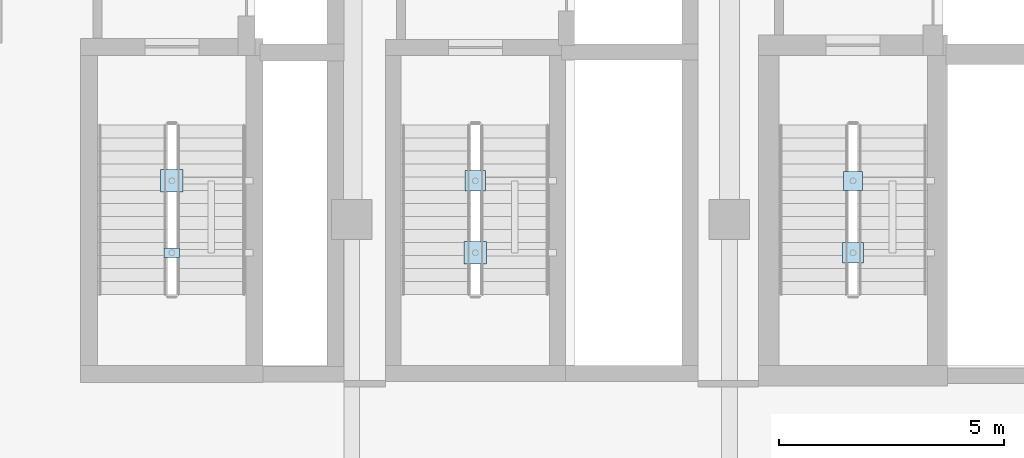
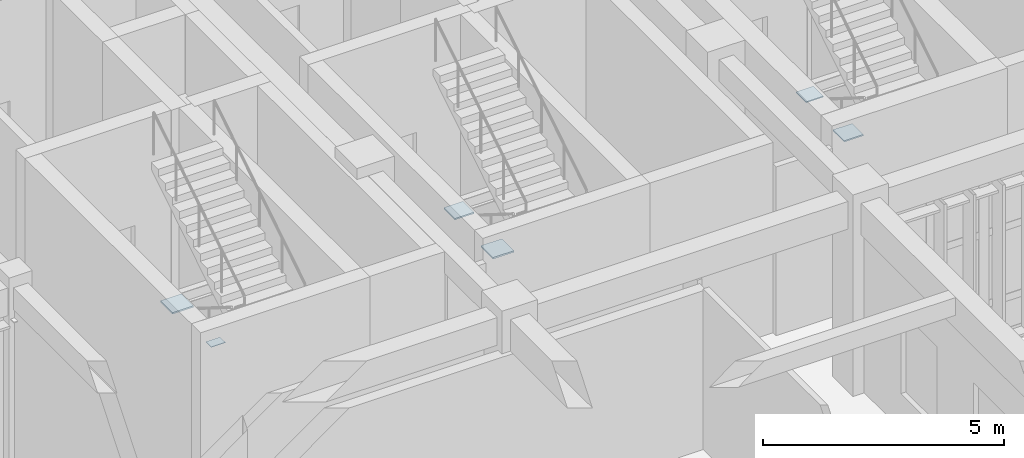
# One storey, part 83 of 106: 6 plates.
"""IFC4 building model written with IfcOpenShell, lengths in metres."""

from ifc_helpers import new_model, si_unit, direction, frame, origin, origin_2d, place, context, subcontext, project, spatial, rectangle, extrude, material, layer, layer_set, type_object, element, save


model = new_model("IFC4")

# Units and contexts
model_context = context("Model", 3, precision=1e-05, world=origin(), true_north=direction((0.0, 1.0)))
body_context = subcontext(model_context, "Body", "Model", "MODEL_VIEW")
ifc_project = project(units=[si_unit("LENGTHUNIT", "METRE"), si_unit("AREAUNIT", "SQUARE_METRE"), si_unit("VOLUMEUNIT", "CUBIC_METRE"), si_unit("PLANEANGLEUNIT", "RADIAN"), si_unit("MASSUNIT", "GRAM", prefix="KILO")], contexts=[model_context])

# Site, building, storey
site_placement = place(None, origin())
site = spatial("IfcSite", under=ifc_project, at=site_placement, CompositionType="ELEMENT")
building_placement = place(site_placement, origin())
building = spatial("IfcBuilding", under=site, at=building_placement, Name="Krzemoval Escarpment Law Courts", CompositionType="ELEMENT")
storey_placement = place(building_placement, frame((0.0, 0.0, 5.10009765625)))
storey = spatial("IfcBuildingStorey", under=building, at=storey_placement, Name="L01", CompositionType="ELEMENT", Elevation=5.10009765625)

# Plates
ifc_material_1 = material(Name="Steel S355", Category="steel")
ifc_layer_1 = layer(ifc_material_1, 0.02392578125)
ifc_layer_set_1 = layer_set([ifc_layer_1], Name="Steel S355")
plate_type_1 = type_object("IfcPlateType", Name="PLT-FLG-24", PredefinedType="USERDEFINED", material=ifc_layer_set_1)
plate_1_placement = place(storey_placement, frame((145.550048828125, 100.4599609375, 2.10791015625), z_axis=(0.0, 0.0, 1.0), x_axis=(1.0, 0.0, 0.0)))
element("IfcPlate", 1, at=plate_1_placement, inside=storey, type_object=plate_type_1, Name="Gusset and End-Cap Plate ECP-0345", ObjectType="FLANGE_PLATE", PredefinedType="USERDEFINED", context=body_context, shape_type="SweptSolid", body=[
    extrude(rectangle(XDim=0.419921875, YDim=0.419921875, at=origin_2d()), origin(), (0.0, 0.0, 1.0), 0.02392578125),
])
ifc_material_2 = material(Name="Steel S355", Category="steel")
ifc_layer_2 = layer(ifc_material_2, 0.034912109375)
ifc_layer_set_2 = layer_set([ifc_layer_2], Name="Steel S355")
plate_type_2 = type_object("IfcPlateType", Name="PLT-FLG-35", PredefinedType="USERDEFINED", material=ifc_layer_set_2)
for number, where, z_axis, x_axis, name in (
    (2, (137.14990234375, 100.4599609375, 2.1025390625), (0.0, 0.0, 1.0), (1.0, 0.0, 0.0), "Gusset and End-Cap Plate ECP-0323"),
    (3, (145.550048828125, 98.860107421875, 2.1025390625), (0.0, 0.0, 1.0), (1.0, 0.0, 0.0), "Gusset and End-Cap Plate ECP-0344"),
):
    element("IfcPlate", number, at=place(storey_placement, frame(where, z_axis=z_axis, x_axis=x_axis)), inside=storey, type_object=plate_type_2, Name=name, ObjectType="FLANGE_PLATE", PredefinedType="USERDEFINED", context=body_context, shape_type="SweptSolid", body=[
        extrude(rectangle(XDim=0.4599609375, YDim=0.4599609375, at=origin_2d()), origin(), (0.0, 0.0, 1.0), 0.034912109375),
    ])
ifc_material_3 = material(Name="Steel S355", Category="steel")
ifc_layer_3 = layer(ifc_material_3, 0.0400390625)
ifc_layer_set_3 = layer_set([ifc_layer_3], Name="Steel S355")
plate_type_3 = type_object("IfcPlateType", Name="PLT-FLG-40", PredefinedType="USERDEFINED", material=ifc_layer_set_3)
for number, where, z_axis, x_axis, name in (
    (4, (130.39990234375, 100.4599609375, 2.099853515625), (0.0, 0.0, 1.0), (1.0, 0.0, 0.0), "Gusset and End-Cap Plate ECP-0301"),
    (5, (137.14990234375, 98.860107421875, 2.099853515625), (0.0, 0.0, 1.0), (1.0, 0.0, 0.0), "Gusset and End-Cap Plate ECP-0322"),
):
    element("IfcPlate", number, at=place(storey_placement, frame(where, z_axis=z_axis, x_axis=x_axis)), inside=storey, type_object=plate_type_3, Name=name, ObjectType="FLANGE_PLATE", PredefinedType="USERDEFINED", context=body_context, shape_type="SweptSolid", body=[
        extrude(rectangle(XDim=0.5, YDim=0.5, at=origin_2d()), origin(), (0.0, 0.0, 1.0), 0.0400390625),
    ])
ifc_material_4 = material(Name="Steel S355", Category="steel")
ifc_layer_4 = layer(ifc_material_4, 0.011962890625)
ifc_layer_set_4 = layer_set([ifc_layer_4], Name="Steel S355")
plate_type_4 = type_object("IfcPlateType", Name="PLT-GUS-12", PredefinedType="USERDEFINED", material=ifc_layer_set_4)
plate_2_placement = place(storey_placement, frame((130.39990234375, 98.860107421875, 2.11376953125), z_axis=(0.0, 0.0, 1.0), x_axis=(1.0, 0.0, 0.0)))
element("IfcPlate", 6, at=plate_2_placement, inside=storey, type_object=plate_type_4, Name="Gusset and End-Cap Plate ECP-0300", ObjectType="GUSSET_PLATE", PredefinedType="USERDEFINED", context=body_context, shape_type="SweptSolid", body=[
    extrude(rectangle(XDim=0.340087890625, YDim=0.219970703125, at=origin_2d()), origin(), (0.0, 0.0, 1.0), 0.011962890625),
])

save(model, "model.ifc")
